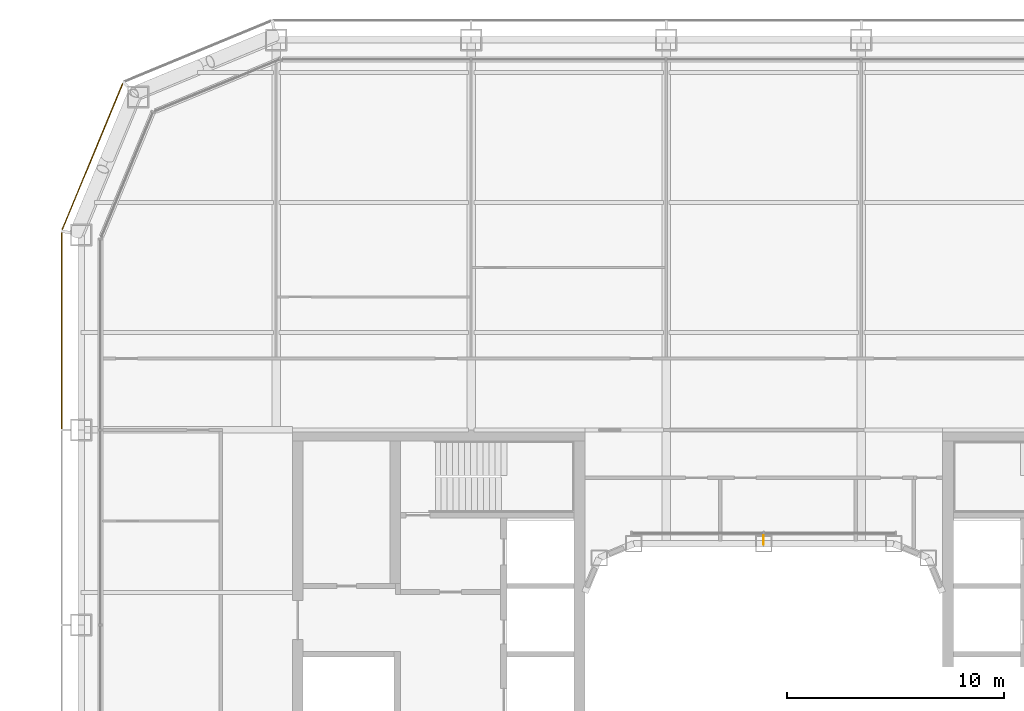
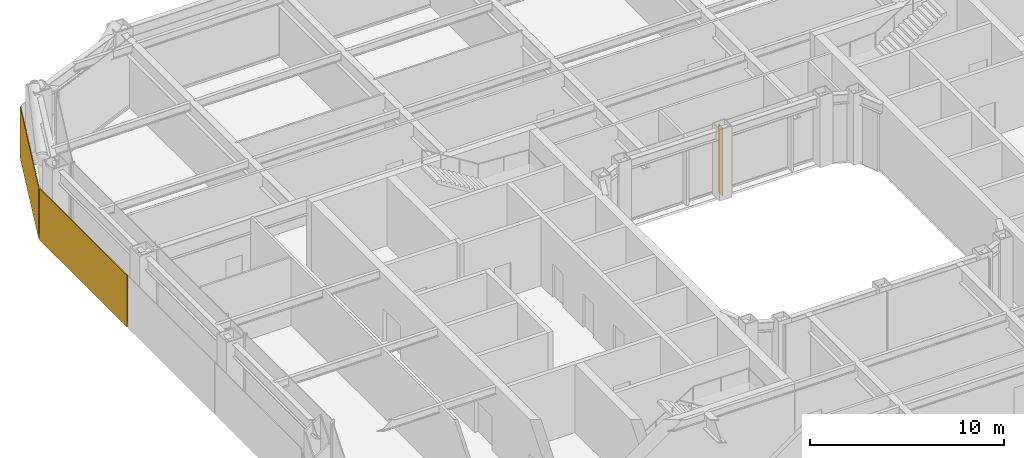
# One storey, part 25 of 27: 2 coverings, 1 shading device.
"""IFC4 building model written with IfcOpenShell, lengths in metres."""

from ifc_helpers import new_model, si_unit, direction, frame, origin, origin_2d, place, context, subcontext, project, spatial, rectangle, extrude, material, layer, layer_set, type_object, element, save


model = new_model("IFC4")

# Units and contexts
model_context = context("Model", 3, precision=1e-05, world=origin(), true_north=direction((0.0, 1.0)))
body_context = subcontext(model_context, "Body", "Model", "MODEL_VIEW")
ifc_project = project(units=[si_unit("LENGTHUNIT", "METRE"), si_unit("AREAUNIT", "SQUARE_METRE"), si_unit("VOLUMEUNIT", "CUBIC_METRE"), si_unit("PLANEANGLEUNIT", "RADIAN"), si_unit("MASSUNIT", "GRAM", prefix="KILO")], contexts=[model_context])

# Site, building, storey
site_placement = place(None, origin())
site = spatial("IfcSite", under=ifc_project, at=site_placement, CompositionType="ELEMENT")
building_placement = place(site_placement, origin())
building = spatial("IfcBuilding", under=site, at=building_placement, Name="Siwar Civic Tower", CompositionType="ELEMENT")
storey_placement = place(building_placement, frame((0.0, 0.0, 89.699951171875)))
storey = spatial("IfcBuildingStorey", under=building, at=storey_placement, Name="L19", CompositionType="ELEMENT", Elevation=89.699951171875)

# Shading device
ifc_material_1 = material(Name="Aluminium 6063-T6", Category="aluminium")
ifc_layer_1 = layer(ifc_material_1, 0.02001953125)
ifc_layer_set_1 = layer_set([ifc_layer_1], Name="Aluminium 6063-T6")
shading_device_type = type_object("IfcShadingDeviceType", Name="ENV-FIN", PredefinedType="JALOUSIE", material=ifc_layer_set_1)
shading_device_placement = place(storey_placement, frame((0.0, 8.419921875, 0.0), z_axis=(0.0, 0.0, 1.0), x_axis=(-1.0, 0.0, 0.0)))
element("IfcShadingDevice", 1, at=shading_device_placement, inside=storey, type_object=shading_device_type, Name="SUNSHADE fin WN 1", PredefinedType="JALOUSIE", context=body_context, shape_type="SweptSolid", body=[
    extrude(rectangle(XDim=0.02001953125, YDim=0.449951171875, at=origin_2d()), origin(), (0.0, 0.0, 1.0), 4.300048828125),
])

# Coverings
ifc_material_2 = material(Name="Perforated aluminium cassette, pale metal", Category="aluminium")
ifc_layer_2 = layer(ifc_material_2, 0.044921875)
ifc_layer_set_2 = layer_set([ifc_layer_2], Name="Perforated aluminium cassette, pale metal")
covering_type_1 = type_object("IfcCoveringType", Name="ENV-OUTER SKIN OS-2", PredefinedType="CLADDING", material=ifc_layer_set_2)
covering_1_placement = place(storey_placement, frame((-30.976318359375, 26.115966796875, -0.14990234375), z_axis=(0.0, 0.0, 1.0), x_axis=(-0.382683432365, -0.923879532511, 0.0)))
element("IfcCovering", 2, at=covering_1_placement, inside=storey, type_object=covering_type_1, Name="OUTER SKIN OS-2 NW2 1", PredefinedType="CLADDING", context=body_context, shape_type="SweptSolid", body=[
    extrude(rectangle(XDim=7.300048828125, YDim=0.044921875, at=origin_2d()), origin(), (0.0, 0.0, 1.0), 3.25),
])
ifc_material_3 = material(Name="Perforated aluminium cassette, pale metal", Category="aluminium")
ifc_layer_3 = layer(ifc_material_3, 0.050048828125)
ifc_layer_set_3 = layer_set([ifc_layer_3], Name="Perforated aluminium cassette, pale metal")
covering_type_2 = type_object("IfcCoveringType", Name="ENV-OUTER SKIN OS-3", PredefinedType="CLADDING", material=ifc_layer_set_3)
covering_2_placement = place(storey_placement, frame((-32.39990234375, 18.07958984375, -0.14990234375), z_axis=(0.0, 0.0, 1.0), x_axis=(0.0, -1.0, 0.0)))
element("IfcCovering", 3, at=covering_2_placement, inside=storey, type_object=covering_type_2, Name="OUTER SKIN OS-3 W 1", PredefinedType="CLADDING", context=body_context, shape_type="SweptSolid", body=[
    extrude(rectangle(XDim=9.05908203125, YDim=0.050048828125, at=origin_2d()), origin(), (0.0, 0.0, 1.0), 3.25),
])

save(model, "model.ifc")
